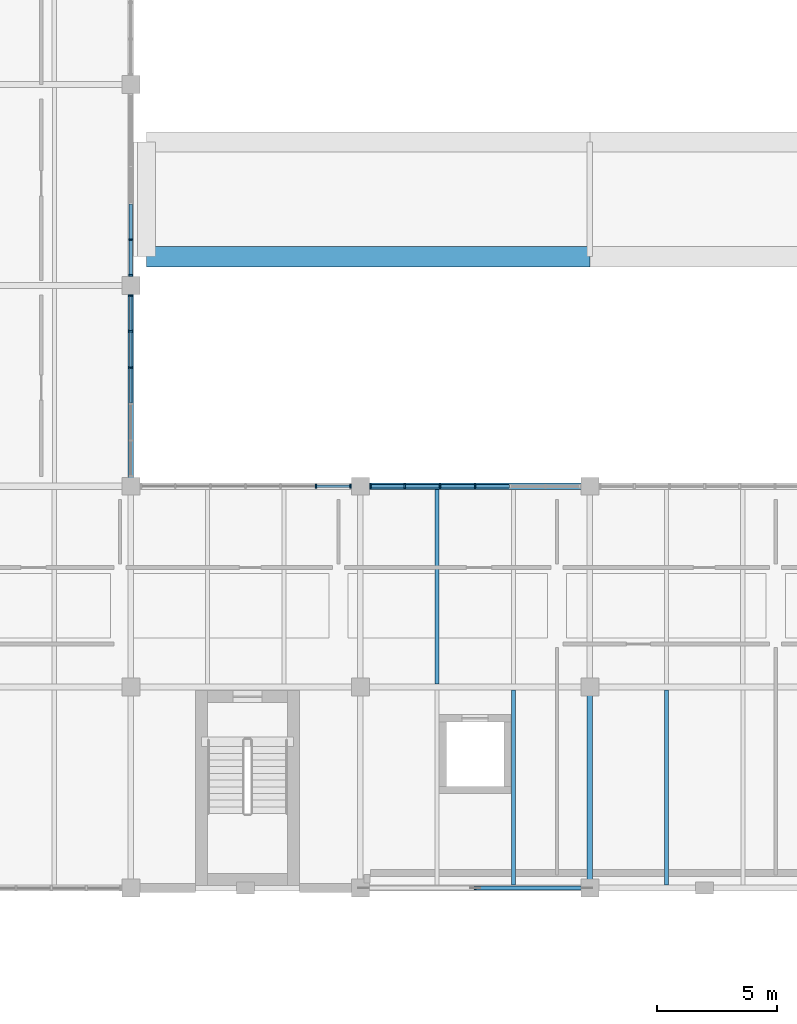
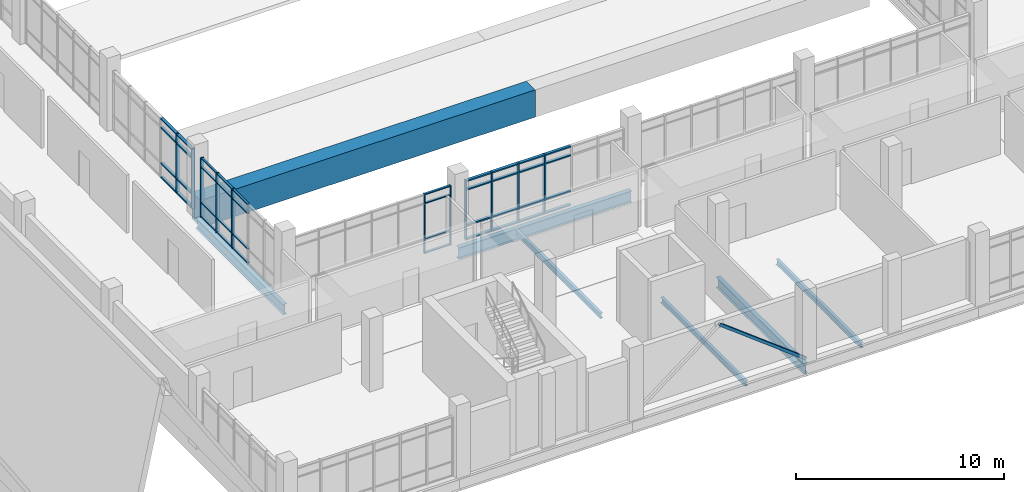
# One storey, part 18 of 86: 52 members, 7 beams, 4 elements without a shape of their own.
"""IFC4 building model written with IfcOpenShell, lengths in metres."""

import ifcopenshell
import ifcopenshell.guid

model = None  # the IFC model being written
_history = None  # IfcOwnerHistory: only IFC2X3 demands one
_inside = {}  # id of a spatial element -> (the spatial element, [elements in it])
_under = {}  # id of a project, library or spatial element -> (it, [spatial elements below it])
_declared = {}  # id of a project -> (the project, [libraries it declares])
_typed = {}  # id of a type object -> (the type object, [elements of that type])
_made_of = {}  # id of a material, layer set ... -> (it, [elements and type objects made of it])


def new_model(schema):
    """Start an empty IFC model of exactly this schema.

    Asked for "IFC4X3", IfcOpenShell would pick the latest addendum, in which some entities
    have other attributes; the version numbers below select the first issue.
    IFC2X3 requires an IfcOwnerHistory on every rooted entity: one is made here for all.
    """
    global model, _history
    if schema == "IFC4X3":
        model = ifcopenshell.file(schema_version=(4, 3, 0, 0))
    else:
        model = ifcopenshell.file(schema=schema)
    _inside.clear()
    _under.clear()
    _declared.clear()
    _typed.clear()
    _made_of.clear()
    _history = None
    if model.schema == "IFC2X3":
        org = make("IfcOrganization", Name="unknown")
        user = make(
            "IfcPersonAndOrganization",
            ThePerson=make("IfcPerson", FamilyName="unknown"),
            TheOrganization=org,
        )
        app = make(
            "IfcApplication",
            ApplicationDeveloper=org,
            Version="unknown",
            ApplicationFullName="unknown",
            ApplicationIdentifier="unknown",
        )
        _history = make(
            "IfcOwnerHistory",
            OwningUser=user,
            OwningApplication=app,
            ChangeAction="ADDED",
            CreationDate=0,
        )
    return model


def make(cls, **values):
    """One entity of the class cls with the attributes given. An attribute that is None is left unset."""
    return model.create_entity(
        cls, **{name: value for name, value in values.items() if value is not None}
    )


def rooted(cls, **values):
    """An entity with a GlobalId (a new one), such as an element, a storey or a relation."""
    return make(cls, GlobalId=ifcopenshell.guid.new(), OwnerHistory=_history, **values)


def si_unit(unit_type, name, prefix=None):
    """IfcSIUnit, for example si_unit("LENGTHUNIT", "METRE", prefix="MILLI")."""
    return make("IfcSIUnit", UnitType=unit_type, Prefix=prefix, Name=name)


def assignment(units):
    """IfcUnitAssignment: the units of a project."""
    return None if units is None else make("IfcUnitAssignment", Units=units)


def point(xyz):
    """IfcCartesianPoint."""
    return None if xyz is None else make("IfcCartesianPoint", Coordinates=xyz)


def direction(xyz):
    """IfcDirection."""
    return None if xyz is None else make("IfcDirection", DirectionRatios=xyz)


def frame(location, z_axis=None, x_axis=None):
    """IfcAxis2Placement3D, a coordinate frame: its origin and axes. An axis left out is left unset."""
    return make(
        "IfcAxis2Placement3D",
        Location=point(location),
        Axis=direction(z_axis),
        RefDirection=direction(x_axis),
    )


def frame_2d(location, x_axis=None):
    """IfcAxis2Placement2D, a coordinate frame in the plane: its origin and x axis."""
    return make(
        "IfcAxis2Placement2D", Location=point(location), RefDirection=direction(x_axis)
    )


def origin():
    """The frame at (0, 0, 0) with its axes left unset."""
    return frame((0.0, 0.0, 0.0))


def origin_2d():
    """The frame at (0, 0) in the plane with its x axis left unset."""
    return frame_2d((0.0, 0.0))


def place(relative_to, where):
    """IfcLocalPlacement: puts the frame where relative to a parent placement (None: the world)."""
    return make(
        "IfcLocalPlacement", PlacementRelTo=relative_to, RelativePlacement=where
    )


def context(
    kind, dimensions, precision=None, world=None, true_north=None, identifier=None
):
    """IfcGeometricRepresentationContext, for example the 3D "Model" context."""
    return make(
        "IfcGeometricRepresentationContext",
        ContextIdentifier=identifier,
        ContextType=kind,
        CoordinateSpaceDimension=dimensions,
        Precision=precision,
        WorldCoordinateSystem=world,
        TrueNorth=true_north,
    )


def subcontext(parent, identifier, kind, view, scale=None):
    """IfcGeometricRepresentationSubContext, for example "Body" below "Model"."""
    return make(
        "IfcGeometricRepresentationSubContext",
        ContextIdentifier=identifier,
        ContextType=kind,
        ParentContext=parent,
        TargetScale=scale,
        TargetView=view,
    )


def project(units=None, contexts=None):
    """IfcProject with its units and contexts."""
    return rooted(
        "IfcProject",
        Name="project",
        RepresentationContexts=contexts,
        UnitsInContext=assignment(units),
    )


def spatial(cls, under=None, at=None, **own):
    """A site, building, storey or space (cls), placed at a placement, below another one or the project."""
    s = rooted(cls, ObjectPlacement=at, **own)
    if under is not None:
        _under.setdefault(under.id(), (under, []))[1].append(s)
    return s


def profile(cls, at=None, kind="AREA", **sizes):
    """A parametric profile (cls). Its sizes go by their IFC names, for example OverallWidth=200.0."""
    return make(cls, ProfileType=kind, Position=at, **sizes)


def rectangle(**sizes):
    """IfcRectangleProfileDef."""
    return profile("IfcRectangleProfileDef", **sizes)


def hollow_rectangle(**sizes):
    """IfcRectangleHollowProfileDef."""
    return profile("IfcRectangleHollowProfileDef", **sizes)


def i_section(**sizes):
    """IfcIShapeProfileDef."""
    return profile("IfcIShapeProfileDef", **sizes)


def extrude(swept, where, along, depth):
    """IfcExtrudedAreaSolid: the profile swept, set in the frame where, extruded along a direction by depth."""
    return make(
        "IfcExtrudedAreaSolid",
        SweptArea=swept,
        Position=where,
        ExtrudedDirection=direction(along),
        Depth=depth,
    )


def shape(context_of_items, identifier, shape_type, items):
    """IfcShapeRepresentation: the items that make up one representation, for example the "Body"."""
    return make(
        "IfcShapeRepresentation",
        ContextOfItems=context_of_items,
        RepresentationIdentifier=identifier,
        RepresentationType=shape_type,
        Items=items,
    )


def material(Name=None, Category=None):
    """IfcMaterial."""
    return make("IfcMaterial", Name=Name, Category=Category)


def material_profile(
    of_material, cross_section, Name=None, Category=None, Priority=None
):
    """IfcMaterialProfile: a cross section and its material."""
    return make(
        "IfcMaterialProfile",
        Name=Name,
        Material=of_material,
        Profile=cross_section,
        Priority=Priority,
        Category=Category,
    )


def profile_set(profiles, Name=None, composite=None):
    """IfcMaterialProfileSet."""
    return make(
        "IfcMaterialProfileSet",
        Name=Name,
        MaterialProfiles=profiles,
        CompositeProfile=composite,
    )


def made_of(thing, what):
    """Note that an element or type object is made of a material, layer set ...; save() writes the relation."""
    if what is not None:
        _made_of.setdefault(what.id(), (what, []))[1].append(thing)
    return thing


def type_object(cls, material=None, **own):
    """A type object (cls), such as IfcWallType, which elements share."""
    return made_of(rooted(cls, **own), material)


def element(
    cls,
    number,
    at=None,
    inside=None,
    cuts=None,
    type_object=None,
    material=None,
    context=None,
    identifier="Body",
    shape_type=None,
    held_by="IfcProductDefinitionShape",
    body=None,
    shapes=None,
    **own,
):
    """One element of the class cls, such as IfcWall. Its Tag is "e" and its number.

    at: its placement. inside: the storey or other place that contains it. cuts: it is an
    opening in that element (IfcRelVoidsElement). A single representation is given by context,
    identifier, shape_type and body (its items); several are given by shapes. held_by: the class
    of the entity that holds the representations. save() writes the other relations.
    """
    e = rooted(cls, Tag="e%d" % number, ObjectPlacement=at, **own)
    if body is not None:
        shapes = [shape(context, identifier, shape_type, body)]
    if shapes is not None:
        e.Representation = make(held_by, Representations=shapes)
    if inside is not None:
        _inside.setdefault(inside.id(), (inside, []))[1].append(e)
    if cuts is not None:
        rooted(
            "IfcRelVoidsElement", RelatingBuildingElement=cuts, RelatedOpeningElement=e
        )
    if type_object is not None:
        _typed.setdefault(type_object.id(), (type_object, []))[1].append(e)
    return made_of(e, material)


def aggregate(whole, parts):
    """IfcRelAggregates: a whole, such as a stair, and the parts it consists of."""
    return rooted("IfcRelAggregates", RelatingObject=whole, RelatedObjects=parts)


def save(model, path):
    """Write the relations noted so far, then the file.

    IfcRelAggregates (storeys below a building ...), IfcRelContainedInSpatialStructure (elements
    in a storey), IfcRelDefinesByType, IfcRelAssociatesMaterial and IfcRelDeclares: one each for
    every whole, place, type object, material and project.
    """
    for whole, parts in _under.values():
        aggregate(whole, parts)
    for where, things in _inside.values():
        rooted(
            "IfcRelContainedInSpatialStructure",
            RelatedElements=things,
            RelatingStructure=where,
        )
    for kind, things in _typed.values():
        rooted("IfcRelDefinesByType", RelatedObjects=things, RelatingType=kind)
    for what, things in _made_of.values():
        rooted("IfcRelAssociatesMaterial", RelatedObjects=things, RelatingMaterial=what)
    for by, libraries in _declared.values():
        rooted("IfcRelDeclares", RelatingContext=by, RelatedDefinitions=libraries)
    model.write(path)


model = new_model("IFC4")

# Units and contexts
model_context = context("Model", 3, precision=1e-05, world=origin(), true_north=direction((0.0, 1.0)))
body_context = subcontext(model_context, "Body", "Model", "MODEL_VIEW")
ifc_project = project(units=[si_unit("LENGTHUNIT", "METRE"), si_unit("AREAUNIT", "SQUARE_METRE"), si_unit("VOLUMEUNIT", "CUBIC_METRE"), si_unit("PLANEANGLEUNIT", "RADIAN"), si_unit("MASSUNIT", "GRAM", prefix="KILO")], contexts=[model_context])

# Site, building, storey
site_placement = place(None, origin())
site = spatial("IfcSite", under=ifc_project, at=site_placement, CompositionType="ELEMENT")
building_placement = place(site_placement, origin())
building = spatial("IfcBuilding", under=site, at=building_placement, Name="Oolite Switchyard Hospital", CompositionType="ELEMENT")
storey_placement = place(building_placement, frame((0.0, 0.0, 13.5)))
storey = spatial("IfcBuildingStorey", under=building, at=storey_placement, Name="L03", CompositionType="ELEMENT", Elevation=13.5)

# Beams
ifc_material_1 = material(Name="Concrete C40/50", Category="concrete")
ifc_material_profile_1 = material_profile(ifc_material_1, rectangle(XDim=0.85009765625, YDim=1.60009765625, at=origin_2d()), Name="RCT850X1600")
ifc_profile_set_1 = profile_set([ifc_material_profile_1], Name="Concrete C40/50")
beam_type_1 = type_object("IfcBeamType", Name="BM-TR850X1600", PredefinedType="BEAM", material=ifc_profile_set_1)
beam_1_placement = place(storey_placement, frame((144.64990234375, 34.800048828125, -0.800048828125), z_axis=(1.0, 0.0, 0.0), x_axis=(0.0, 1.0, 0.0)))
element("IfcBeam", 1, at=beam_1_placement, inside=storey, type_object=beam_type_1, Name="L03 X-Girder 1959", PredefinedType="BEAM", context=body_context, shape_type="SweptSolid", body=[
    extrude(rectangle(XDim=0.85009765625, YDim=1.60009765625, at=origin_2d()), origin(), (0.0, 0.0, 1.0), 18.550048828125),
])
ifc_material_2 = material(Name="Steel ASTM A992 Grade 50", Category="steel")
ifc_material_profile_2 = material_profile(ifc_material_2, i_section(OverallWidth=0.1650390625, OverallDepth=0.31005859375, WebThickness=0.006103515625, FlangeThickness=0.010009765625, at=origin_2d()), Name="W12X26")
ifc_profile_set_2 = profile_set([ifc_material_profile_2], Name="Steel ASTM A992 Grade 50")
beam_type_2 = type_object("IfcBeamType", Name="BM-W12X26", PredefinedType="JOIST", material=ifc_profile_set_2)
for number, where, z_axis, x_axis, name in (
    (2, (160.0, 8.527099609375, -0.429931640625), (0.0, 1.0, 0.0), (-1.0, 0.0, 0.0), "L03 Secondary Steel Joist 2639"),
    (3, (156.800048828125, 16.927001953125, -0.429931640625), (0.0, 1.0, 0.0), (-1.0, 0.0, 0.0), "L03 Secondary Steel Joist 2640"),
    (4, (166.39990234375, 8.527099609375, -0.429931640625), (0.0, 1.0, 0.0), (-1.0, 0.0, 0.0), "L03 Secondary Steel Joist 2658"),
):
    element("IfcBeam", number, at=place(storey_placement, frame(where, z_axis=z_axis, x_axis=x_axis)), inside=storey, type_object=beam_type_2, Name=name, PredefinedType="JOIST", context=body_context, shape_type="SweptSolid", body=[
        extrude(i_section(OverallWidth=0.1650390625, OverallDepth=0.31005859375, WebThickness=0.006103515625, FlangeThickness=0.010009765625, at=origin_2d()), origin(), (0.0, 0.0, 1.0), 8.14599609375),
    ])
ifc_material_profile_3 = material_profile(ifc_material_2, i_section(OverallWidth=0.22900390625, OverallDepth=0.612060546875, WebThickness=0.011962890625, FlangeThickness=0.02001953125, at=origin_2d()), Name="W24X84")
ifc_profile_set_3 = profile_set([ifc_material_profile_3], Name="Steel ASTM A992 Grade 50")
beam_type_3 = type_object("IfcBeamType", Name="BM-W24X84", PredefinedType="BEAM", material=ifc_profile_set_3)
for number, where, z_axis, x_axis, name in (
    (5, (144.0, 25.199951171875, -0.5810546875), (0.0, 1.0, 0.0), (-1.0, 0.0, 0.0), "L03 Y-Girder 2297"),
    (6, (163.199951171875, 8.39990234375, -0.5810546875), (0.0, 1.0, 0.0), (-1.0, 0.0, 0.0), "L03 Y-Girder 2323"),
):
    element("IfcBeam", number, at=place(storey_placement, frame(where, z_axis=z_axis, x_axis=x_axis)), inside=storey, type_object=beam_type_3, Name=name, PredefinedType="BEAM", context=body_context, shape_type="SweptSolid", body=[
        extrude(i_section(OverallWidth=0.22900390625, OverallDepth=0.612060546875, WebThickness=0.011962890625, FlangeThickness=0.02001953125, at=origin_2d()), origin(), (0.0, 0.0, 1.0), 8.400146484375),
    ])
ifc_material_profile_4 = material_profile(ifc_material_2, i_section(OverallWidth=0.25390625, OverallDepth=0.68408203125, WebThickness=0.011962890625, FlangeThickness=0.01904296875, at=origin_2d()), Name="W27X94")
ifc_profile_set_4 = profile_set([ifc_material_profile_4], Name="Steel ASTM A992 Grade 50")
beam_type_4 = type_object("IfcBeamType", Name="BM-W27X94", PredefinedType="BEAM", material=ifc_profile_set_4)
beam_2_placement = place(storey_placement, frame((153.60009765625, 25.199951171875, -0.616943359375), z_axis=(1.0, 0.0, 0.0), x_axis=(0.0, 1.0, 0.0)))
element("IfcBeam", 7, at=beam_2_placement, inside=storey, type_object=beam_type_4, Name="L03 X-Girder 1943", PredefinedType="BEAM", context=body_context, shape_type="SweptSolid", body=[
    extrude(i_section(OverallWidth=0.25390625, OverallDepth=0.68408203125, WebThickness=0.011962890625, FlangeThickness=0.01904296875, at=origin_2d()), origin(), (0.0, 0.0, 1.0), 9.599853515625),
])

# Curtain wall, members
ifc_material_3 = material(Name="Thermally broken aluminum frame with laminated impact glazing", Category="aluminium")
curtain_wall_type_1 = type_object("IfcCurtainWallType", Name="CW-UNIT-96X43", PredefinedType="USERDEFINED", material=ifc_material_3)
curtain_wall_1_placement = place(storey_placement, origin())
curtain_wall_1 = element("IfcCurtainWall", 8, at=curtain_wall_1_placement, inside=storey, type_object=curtain_wall_type_1, Name="L03 Unitised Curtain Wall 330", ObjectType="UNITISED", PredefinedType="USERDEFINED")
ifc_material_4 = material(Name="Aluminium 6063-T6", Category="aluminium")
ifc_material_profile_5 = material_profile(ifc_material_4, rectangle(XDim=0.159912109375, YDim=0.06005859375, at=origin_2d()), Name="CWM60X160")
ifc_profile_set_5 = profile_set([ifc_material_profile_5], Name="Aluminium 6063-T6")
member_type_1 = type_object("IfcMemberType", Name="CW-MUL-180", PredefinedType="MULLION", material=ifc_profile_set_5)
member_1_placement = place(storey_placement, frame((151.739990234375, 25.199951171875, 0.0), z_axis=(0.0, 0.0, 1.0), x_axis=(0.0, 1.0, 0.0)))
member_1 = element("IfcMember", 9, at=member_1_placement, type_object=member_type_1, Name="CW-04 mullion 6", PredefinedType="MULLION", context=body_context, shape_type="SweptSolid", body=[
    extrude(rectangle(XDim=0.159912109375, YDim=0.06005859375, at=origin_2d()), origin(), (0.0, 0.0, 1.0), 3.489990234375),
])
member_2_placement = place(storey_placement, frame((153.179931640625, 25.199951171875, 0.0), z_axis=(0.0, 0.0, 1.0), x_axis=(0.0, 1.0, 0.0)))
member_2 = element("IfcMember", 10, at=member_2_placement, type_object=member_type_1, Name="CW-04 mullion 7", PredefinedType="MULLION", context=body_context, shape_type="SweptSolid", body=[
    extrude(rectangle(XDim=0.159912109375, YDim=0.06005859375, at=origin_2d()), origin(), (0.0, 0.0, 1.0), 3.489990234375),
])

curtain_wall_2_placement = place(storey_placement, origin())
curtain_wall_2 = element("IfcCurtainWall", 11, at=curtain_wall_2_placement, inside=storey, type_object=curtain_wall_type_1, Name="L03 Unitised Curtain Wall 331", ObjectType="UNITISED", PredefinedType="USERDEFINED")
ifc_material_profile_6 = material_profile(ifc_material_4, rectangle(XDim=0.179931640625, YDim=0.070068359375, at=origin_2d()), Name="CWM70X180")
ifc_profile_set_6 = profile_set([ifc_material_profile_6], Name="Aluminium 6063-T6")
member_type_2 = type_object("IfcMemberType", Name="CW-MUL-220", PredefinedType="MULLION", material=ifc_profile_set_6)
member_3_placement = place(storey_placement, frame((154.02490234375, 25.199951171875, 0.0), z_axis=(0.0, 0.0, 1.0), x_axis=(0.0, 1.0, 0.0)))
member_3 = element("IfcMember", 12, at=member_3_placement, type_object=member_type_2, Name="CW-04 mullion 1", PredefinedType="MULLION", context=body_context, shape_type="SweptSolid", body=[
    extrude(rectangle(XDim=0.179931640625, YDim=0.070068359375, at=origin_2d()), origin(), (0.0, 0.0, 1.0), 3.489990234375),
])
member_4_placement = place(storey_placement, frame((155.4599609375, 25.199951171875, 0.0), z_axis=(0.0, 0.0, 1.0), x_axis=(0.0, 1.0, 0.0)))
member_4 = element("IfcMember", 13, at=member_4_placement, type_object=member_type_2, Name="CW-04 mullion 2", PredefinedType="MULLION", context=body_context, shape_type="SweptSolid", body=[
    extrude(rectangle(XDim=0.179931640625, YDim=0.070068359375, at=origin_2d()), origin(), (0.0, 0.0, 1.0), 3.489990234375),
])
member_5_placement = place(storey_placement, frame((156.929931640625, 25.199951171875, 0.0), z_axis=(0.0, 0.0, 1.0), x_axis=(0.0, 1.0, 0.0)))
member_5 = element("IfcMember", 14, at=member_5_placement, type_object=member_type_2, Name="CW-04 mullion 3", PredefinedType="MULLION", context=body_context, shape_type="SweptSolid", body=[
    extrude(rectangle(XDim=0.179931640625, YDim=0.070068359375, at=origin_2d()), origin(), (0.0, 0.0, 1.0), 3.489990234375),
])
member_6_placement = place(storey_placement, frame((158.39990234375, 25.199951171875, 0.0), z_axis=(0.0, 0.0, 1.0), x_axis=(0.0, 1.0, 0.0)))
member_6 = element("IfcMember", 15, at=member_6_placement, type_object=member_type_2, Name="CW-04 mullion 4", PredefinedType="MULLION", context=body_context, shape_type="SweptSolid", body=[
    extrude(rectangle(XDim=0.179931640625, YDim=0.070068359375, at=origin_2d()), origin(), (0.0, 0.0, 1.0), 3.489990234375),
])

curtain_wall_type_2 = type_object("IfcCurtainWallType", Name="CW-UNIT-84X43", PredefinedType="USERDEFINED", material=ifc_material_3)
curtain_wall_3_placement = place(storey_placement, origin())
curtain_wall_3 = element("IfcCurtainWall", 16, at=curtain_wall_3_placement, inside=storey, type_object=curtain_wall_type_2, Name="L03 Unitised Curtain Wall 340", ObjectType="UNITISED", PredefinedType="USERDEFINED")
member_7_placement = place(storey_placement, frame((144.0, 33.175048828125, 0.0), z_axis=(0.0, 0.0, 1.0), x_axis=(1.0, 0.0, 0.0)))
member_7 = element("IfcMember", 17, at=member_7_placement, type_object=member_type_2, Name="CW-09 mullion 1", PredefinedType="MULLION", context=body_context, shape_type="SweptSolid", body=[
    extrude(rectangle(XDim=0.179931640625, YDim=0.070068359375, at=origin_2d()), origin(), (0.0, 0.0, 1.0), 3.489990234375),
])
member_8_placement = place(storey_placement, frame((144.0, 31.68603515625, 0.0), z_axis=(0.0, 0.0, 1.0), x_axis=(1.0, 0.0, 0.0)))
member_8 = element("IfcMember", 18, at=member_8_placement, type_object=member_type_2, Name="CW-09 mullion 2", PredefinedType="MULLION", context=body_context, shape_type="SweptSolid", body=[
    extrude(rectangle(XDim=0.179931640625, YDim=0.070068359375, at=origin_2d()), origin(), (0.0, 0.0, 1.0), 3.489990234375),
])
member_9_placement = place(storey_placement, frame((144.0, 30.162109375, 0.0), z_axis=(0.0, 0.0, 1.0), x_axis=(1.0, 0.0, 0.0)))
member_9 = element("IfcMember", 19, at=member_9_placement, type_object=member_type_2, Name="CW-09 mullion 3", PredefinedType="MULLION", context=body_context, shape_type="SweptSolid", body=[
    extrude(rectangle(XDim=0.179931640625, YDim=0.070068359375, at=origin_2d()), origin(), (0.0, 0.0, 1.0), 3.489990234375),
])

curtain_wall_4_placement = place(storey_placement, origin())
curtain_wall_4 = element("IfcCurtainWall", 20, at=curtain_wall_4_placement, inside=storey, type_object=curtain_wall_type_2, Name="L03 Unitised Curtain Wall 343", ObjectType="UNITISED", PredefinedType="USERDEFINED")
member_10_placement = place(storey_placement, frame((144.0, 35.513916015625, 0.0), z_axis=(0.0, 0.0, 1.0), x_axis=(1.0, 0.0, 0.0)))
member_10 = element("IfcMember", 21, at=member_10_placement, type_object=member_type_2, Name="CW-09 mullion 5", PredefinedType="MULLION", context=body_context, shape_type="SweptSolid", body=[
    extrude(rectangle(XDim=0.179931640625, YDim=0.070068359375, at=origin_2d()), origin(), (0.0, 0.0, 1.0), 3.489990234375),
])
member_11_placement = place(storey_placement, frame((144.0, 34.02490234375, 0.0), z_axis=(0.0, 0.0, 1.0), x_axis=(1.0, 0.0, 0.0)))
member_11 = element("IfcMember", 22, at=member_11_placement, type_object=member_type_2, Name="CW-09 mullion 6", PredefinedType="MULLION", context=body_context, shape_type="SweptSolid", body=[
    extrude(rectangle(XDim=0.179931640625, YDim=0.070068359375, at=origin_2d()), origin(), (0.0, 0.0, 1.0), 3.489990234375),
])

# Member
ifc_material_profile_7 = material_profile(ifc_material_4, rectangle(XDim=0.1201171875, YDim=0.06005859375, at=origin_2d()), Name="CWT60X120")
ifc_profile_set_7 = profile_set([ifc_material_profile_7], Name="Aluminium 6063-T6")
member_type_3 = type_object("IfcMemberType", Name="CW-TRN-150", PredefinedType="USERDEFINED", material=ifc_profile_set_7)
member_12_placement = place(storey_placement, frame((151.77001953125, 25.199951171875, 0.030029296875), z_axis=(1.0, 0.0, 0.0), x_axis=(0.0, 1.0, 0.0)))
member_12 = element("IfcMember", 23, at=member_12_placement, type_object=member_type_3, Name="CW-04 transom 6.1", ObjectType="TRANSOM", PredefinedType="USERDEFINED", context=body_context, shape_type="SweptSolid", body=[
    extrude(rectangle(XDim=0.1201171875, YDim=0.06005859375, at=origin_2d()), origin(), (0.0, 0.0, 1.0), 1.3798828125),
])

member_13_placement = place(storey_placement, frame((151.77001953125, 25.199951171875, 0.85009765625), z_axis=(1.0, 0.0, 0.0), x_axis=(0.0, 1.0, 0.0)))
member_13 = element("IfcMember", 24, at=member_13_placement, type_object=member_type_3, Name="CW-04 transom 6.2", ObjectType="TRANSOM", PredefinedType="USERDEFINED", context=body_context, shape_type="SweptSolid", body=[
    extrude(rectangle(XDim=0.1201171875, YDim=0.06005859375, at=origin_2d()), origin(), (0.0, 0.0, 1.0), 1.3798828125),
])

member_14_placement = place(storey_placement, frame((151.77001953125, 25.199951171875, 2.93994140625), z_axis=(1.0, 0.0, 0.0), x_axis=(0.0, 1.0, 0.0)))
member_14 = element("IfcMember", 25, at=member_14_placement, type_object=member_type_3, Name="CW-04 transom 6.3", ObjectType="TRANSOM", PredefinedType="USERDEFINED", context=body_context, shape_type="SweptSolid", body=[
    extrude(rectangle(XDim=0.1201171875, YDim=0.06005859375, at=origin_2d()), origin(), (0.0, 0.0, 1.0), 1.3798828125),
])

member_15_placement = place(storey_placement, frame((151.77001953125, 25.199951171875, 3.4599609375), z_axis=(1.0, 0.0, 0.0), x_axis=(0.0, 1.0, 0.0)))
member_15 = element("IfcMember", 26, at=member_15_placement, type_object=member_type_3, Name="CW-04 transom 6.4", ObjectType="TRANSOM", PredefinedType="USERDEFINED", context=body_context, shape_type="SweptSolid", body=[
    extrude(rectangle(XDim=0.1201171875, YDim=0.06005859375, at=origin_2d()), origin(), (0.0, 0.0, 1.0), 1.3798828125),
])

aggregate(curtain_wall_1, [member_1, member_2, member_12, member_13, member_14, member_15])

member_16_placement = place(storey_placement, frame((144.0, 33.139892578125, 0.030029296875), z_axis=(0.0, -1.0, 0.0), x_axis=(1.0, 0.0, 0.0)))
member_16 = element("IfcMember", 27, at=member_16_placement, type_object=member_type_3, Name="CW-09 transom 1.1", ObjectType="TRANSOM", PredefinedType="USERDEFINED", context=body_context, shape_type="SweptSolid", body=[
    extrude(rectangle(XDim=0.1201171875, YDim=0.06005859375, at=origin_2d()), origin(), (0.0, 0.0, 1.0), 1.4189453125),
])

member_17_placement = place(storey_placement, frame((144.0, 33.139892578125, 0.85009765625), z_axis=(0.0, -1.0, 0.0), x_axis=(1.0, 0.0, 0.0)))
member_17 = element("IfcMember", 28, at=member_17_placement, type_object=member_type_3, Name="CW-09 transom 1.2", ObjectType="TRANSOM", PredefinedType="USERDEFINED", context=body_context, shape_type="SweptSolid", body=[
    extrude(rectangle(XDim=0.1201171875, YDim=0.06005859375, at=origin_2d()), origin(), (0.0, 0.0, 1.0), 1.4189453125),
])

member_18_placement = place(storey_placement, frame((144.0, 33.139892578125, 2.93994140625), z_axis=(0.0, -1.0, 0.0), x_axis=(1.0, 0.0, 0.0)))
member_18 = element("IfcMember", 29, at=member_18_placement, type_object=member_type_3, Name="CW-09 transom 1.3", ObjectType="TRANSOM", PredefinedType="USERDEFINED", context=body_context, shape_type="SweptSolid", body=[
    extrude(rectangle(XDim=0.1201171875, YDim=0.06005859375, at=origin_2d()), origin(), (0.0, 0.0, 1.0), 1.4189453125),
])

member_19_placement = place(storey_placement, frame((144.0, 33.139892578125, 3.4599609375), z_axis=(0.0, -1.0, 0.0), x_axis=(1.0, 0.0, 0.0)))
member_19 = element("IfcMember", 30, at=member_19_placement, type_object=member_type_3, Name="CW-09 transom 1.4", ObjectType="TRANSOM", PredefinedType="USERDEFINED", context=body_context, shape_type="SweptSolid", body=[
    extrude(rectangle(XDim=0.1201171875, YDim=0.06005859375, at=origin_2d()), origin(), (0.0, 0.0, 1.0), 1.4189453125),
])

member_20_placement = place(storey_placement, frame((144.0, 31.65087890625, 0.030029296875), z_axis=(0.0, -1.0, 0.0), x_axis=(1.0, 0.0, 0.0)))
member_20 = element("IfcMember", 31, at=member_20_placement, type_object=member_type_3, Name="CW-09 transom 2.1", ObjectType="TRANSOM", PredefinedType="USERDEFINED", context=body_context, shape_type="SweptSolid", body=[
    extrude(rectangle(XDim=0.1201171875, YDim=0.06005859375, at=origin_2d()), origin(), (0.0, 0.0, 1.0), 1.453857421875),
])

member_21_placement = place(storey_placement, frame((144.0, 31.65087890625, 0.85009765625), z_axis=(0.0, -1.0, 0.0), x_axis=(1.0, 0.0, 0.0)))
member_21 = element("IfcMember", 32, at=member_21_placement, type_object=member_type_3, Name="CW-09 transom 2.2", ObjectType="TRANSOM", PredefinedType="USERDEFINED", context=body_context, shape_type="SweptSolid", body=[
    extrude(rectangle(XDim=0.1201171875, YDim=0.06005859375, at=origin_2d()), origin(), (0.0, 0.0, 1.0), 1.453857421875),
])

member_22_placement = place(storey_placement, frame((144.0, 31.65087890625, 2.93994140625), z_axis=(0.0, -1.0, 0.0), x_axis=(1.0, 0.0, 0.0)))
member_22 = element("IfcMember", 33, at=member_22_placement, type_object=member_type_3, Name="CW-09 transom 2.3", ObjectType="TRANSOM", PredefinedType="USERDEFINED", context=body_context, shape_type="SweptSolid", body=[
    extrude(rectangle(XDim=0.1201171875, YDim=0.06005859375, at=origin_2d()), origin(), (0.0, 0.0, 1.0), 1.453857421875),
])

member_23_placement = place(storey_placement, frame((144.0, 31.65087890625, 3.4599609375), z_axis=(0.0, -1.0, 0.0), x_axis=(1.0, 0.0, 0.0)))
member_23 = element("IfcMember", 34, at=member_23_placement, type_object=member_type_3, Name="CW-09 transom 2.4", ObjectType="TRANSOM", PredefinedType="USERDEFINED", context=body_context, shape_type="SweptSolid", body=[
    extrude(rectangle(XDim=0.1201171875, YDim=0.06005859375, at=origin_2d()), origin(), (0.0, 0.0, 1.0), 1.453857421875),
])

member_24_placement = place(storey_placement, frame((144.0, 30.126953125, 0.030029296875), z_axis=(0.0, -1.0, 0.0), x_axis=(1.0, 0.0, 0.0)))
member_24 = element("IfcMember", 35, at=member_24_placement, type_object=member_type_3, Name="CW-09 transom 3.1", ObjectType="TRANSOM", PredefinedType="USERDEFINED", context=body_context, shape_type="SweptSolid", body=[
    extrude(rectangle(XDim=0.1201171875, YDim=0.06005859375, at=origin_2d()), origin(), (0.0, 0.0, 1.0), 1.453857421875),
])

member_25_placement = place(storey_placement, frame((144.0, 30.126953125, 0.85009765625), z_axis=(0.0, -1.0, 0.0), x_axis=(1.0, 0.0, 0.0)))
member_25 = element("IfcMember", 36, at=member_25_placement, type_object=member_type_3, Name="CW-09 transom 3.2", ObjectType="TRANSOM", PredefinedType="USERDEFINED", context=body_context, shape_type="SweptSolid", body=[
    extrude(rectangle(XDim=0.1201171875, YDim=0.06005859375, at=origin_2d()), origin(), (0.0, 0.0, 1.0), 1.453857421875),
])

member_26_placement = place(storey_placement, frame((144.0, 30.126953125, 2.93994140625), z_axis=(0.0, -1.0, 0.0), x_axis=(1.0, 0.0, 0.0)))
member_26 = element("IfcMember", 37, at=member_26_placement, type_object=member_type_3, Name="CW-09 transom 3.3", ObjectType="TRANSOM", PredefinedType="USERDEFINED", context=body_context, shape_type="SweptSolid", body=[
    extrude(rectangle(XDim=0.1201171875, YDim=0.06005859375, at=origin_2d()), origin(), (0.0, 0.0, 1.0), 1.453857421875),
])

member_27_placement = place(storey_placement, frame((144.0, 30.126953125, 3.4599609375), z_axis=(0.0, -1.0, 0.0), x_axis=(1.0, 0.0, 0.0)))
member_27 = element("IfcMember", 38, at=member_27_placement, type_object=member_type_3, Name="CW-09 transom 3.4", ObjectType="TRANSOM", PredefinedType="USERDEFINED", context=body_context, shape_type="SweptSolid", body=[
    extrude(rectangle(XDim=0.1201171875, YDim=0.06005859375, at=origin_2d()), origin(), (0.0, 0.0, 1.0), 1.453857421875),
])

aggregate(curtain_wall_3, [member_7, member_8, member_9, member_16, member_17, member_18, member_19, member_20, member_21, member_22, member_23, member_24, member_25, member_26, member_27])

ifc_material_profile_8 = material_profile(ifc_material_4, rectangle(XDim=0.159912109375, YDim=0.074951171875, at=origin_2d()), Name="CWT75X160")
ifc_profile_set_8 = profile_set([ifc_material_profile_8], Name="Aluminium 6063-T6")
member_type_4 = type_object("IfcMemberType", Name="CW-TRN-180", PredefinedType="USERDEFINED", material=ifc_profile_set_8)
member_28_placement = place(storey_placement, frame((154.06005859375, 25.199951171875, 0.03759765625), z_axis=(1.0, 0.0, 0.0), x_axis=(0.0, 1.0, 0.0)))
member_28 = element("IfcMember", 39, at=member_28_placement, type_object=member_type_4, Name="CW-04 transom 1.1", ObjectType="TRANSOM", PredefinedType="USERDEFINED", context=body_context, shape_type="SweptSolid", body=[
    extrude(rectangle(XDim=0.159912109375, YDim=0.074951171875, at=origin_2d()), origin(), (0.0, 0.0, 1.0), 1.364990234375),
])

member_29_placement = place(storey_placement, frame((154.06005859375, 25.199951171875, 0.85009765625), z_axis=(1.0, 0.0, 0.0), x_axis=(0.0, 1.0, 0.0)))
member_29 = element("IfcMember", 40, at=member_29_placement, type_object=member_type_4, Name="CW-04 transom 1.2", ObjectType="TRANSOM", PredefinedType="USERDEFINED", context=body_context, shape_type="SweptSolid", body=[
    extrude(rectangle(XDim=0.159912109375, YDim=0.074951171875, at=origin_2d()), origin(), (0.0, 0.0, 1.0), 1.364990234375),
])

member_30_placement = place(storey_placement, frame((154.06005859375, 25.199951171875, 2.93994140625), z_axis=(1.0, 0.0, 0.0), x_axis=(0.0, 1.0, 0.0)))
member_30 = element("IfcMember", 41, at=member_30_placement, type_object=member_type_4, Name="CW-04 transom 1.3", ObjectType="TRANSOM", PredefinedType="USERDEFINED", context=body_context, shape_type="SweptSolid", body=[
    extrude(rectangle(XDim=0.159912109375, YDim=0.074951171875, at=origin_2d()), origin(), (0.0, 0.0, 1.0), 1.364990234375),
])

member_31_placement = place(storey_placement, frame((154.06005859375, 25.199951171875, 3.452392578125), z_axis=(1.0, 0.0, 0.0), x_axis=(0.0, 1.0, 0.0)))
member_31 = element("IfcMember", 42, at=member_31_placement, type_object=member_type_4, Name="CW-04 transom 1.4", ObjectType="TRANSOM", PredefinedType="USERDEFINED", context=body_context, shape_type="SweptSolid", body=[
    extrude(rectangle(XDim=0.159912109375, YDim=0.074951171875, at=origin_2d()), origin(), (0.0, 0.0, 1.0), 1.364990234375),
])

member_32_placement = place(storey_placement, frame((155.4951171875, 25.199951171875, 0.03759765625), z_axis=(1.0, 0.0, 0.0), x_axis=(0.0, 1.0, 0.0)))
member_32 = element("IfcMember", 43, at=member_32_placement, type_object=member_type_4, Name="CW-04 transom 2.1", ObjectType="TRANSOM", PredefinedType="USERDEFINED", context=body_context, shape_type="SweptSolid", body=[
    extrude(rectangle(XDim=0.159912109375, YDim=0.074951171875, at=origin_2d()), origin(), (0.0, 0.0, 1.0), 1.39990234375),
])

member_33_placement = place(storey_placement, frame((155.4951171875, 25.199951171875, 0.85009765625), z_axis=(1.0, 0.0, 0.0), x_axis=(0.0, 1.0, 0.0)))
member_33 = element("IfcMember", 44, at=member_33_placement, type_object=member_type_4, Name="CW-04 transom 2.2", ObjectType="TRANSOM", PredefinedType="USERDEFINED", context=body_context, shape_type="SweptSolid", body=[
    extrude(rectangle(XDim=0.159912109375, YDim=0.074951171875, at=origin_2d()), origin(), (0.0, 0.0, 1.0), 1.39990234375),
])

member_34_placement = place(storey_placement, frame((155.4951171875, 25.199951171875, 2.93994140625), z_axis=(1.0, 0.0, 0.0), x_axis=(0.0, 1.0, 0.0)))
member_34 = element("IfcMember", 45, at=member_34_placement, type_object=member_type_4, Name="CW-04 transom 2.3", ObjectType="TRANSOM", PredefinedType="USERDEFINED", context=body_context, shape_type="SweptSolid", body=[
    extrude(rectangle(XDim=0.159912109375, YDim=0.074951171875, at=origin_2d()), origin(), (0.0, 0.0, 1.0), 1.39990234375),
])

member_35_placement = place(storey_placement, frame((155.4951171875, 25.199951171875, 3.452392578125), z_axis=(1.0, 0.0, 0.0), x_axis=(0.0, 1.0, 0.0)))
member_35 = element("IfcMember", 46, at=member_35_placement, type_object=member_type_4, Name="CW-04 transom 2.4", ObjectType="TRANSOM", PredefinedType="USERDEFINED", context=body_context, shape_type="SweptSolid", body=[
    extrude(rectangle(XDim=0.159912109375, YDim=0.074951171875, at=origin_2d()), origin(), (0.0, 0.0, 1.0), 1.39990234375),
])

member_36_placement = place(storey_placement, frame((156.965087890625, 25.199951171875, 0.03759765625), z_axis=(1.0, 0.0, 0.0), x_axis=(0.0, 1.0, 0.0)))
member_36 = element("IfcMember", 47, at=member_36_placement, type_object=member_type_4, Name="CW-04 transom 3.1", ObjectType="TRANSOM", PredefinedType="USERDEFINED", context=body_context, shape_type="SweptSolid", body=[
    extrude(rectangle(XDim=0.159912109375, YDim=0.074951171875, at=origin_2d()), origin(), (0.0, 0.0, 1.0), 1.39990234375),
])

member_37_placement = place(storey_placement, frame((156.965087890625, 25.199951171875, 0.85009765625), z_axis=(1.0, 0.0, 0.0), x_axis=(0.0, 1.0, 0.0)))
member_37 = element("IfcMember", 48, at=member_37_placement, type_object=member_type_4, Name="CW-04 transom 3.2", ObjectType="TRANSOM", PredefinedType="USERDEFINED", context=body_context, shape_type="SweptSolid", body=[
    extrude(rectangle(XDim=0.159912109375, YDim=0.074951171875, at=origin_2d()), origin(), (0.0, 0.0, 1.0), 1.39990234375),
])

member_38_placement = place(storey_placement, frame((156.965087890625, 25.199951171875, 2.93994140625), z_axis=(1.0, 0.0, 0.0), x_axis=(0.0, 1.0, 0.0)))
member_38 = element("IfcMember", 49, at=member_38_placement, type_object=member_type_4, Name="CW-04 transom 3.3", ObjectType="TRANSOM", PredefinedType="USERDEFINED", context=body_context, shape_type="SweptSolid", body=[
    extrude(rectangle(XDim=0.159912109375, YDim=0.074951171875, at=origin_2d()), origin(), (0.0, 0.0, 1.0), 1.39990234375),
])

member_39_placement = place(storey_placement, frame((156.965087890625, 25.199951171875, 3.452392578125), z_axis=(1.0, 0.0, 0.0), x_axis=(0.0, 1.0, 0.0)))
member_39 = element("IfcMember", 50, at=member_39_placement, type_object=member_type_4, Name="CW-04 transom 3.4", ObjectType="TRANSOM", PredefinedType="USERDEFINED", context=body_context, shape_type="SweptSolid", body=[
    extrude(rectangle(XDim=0.159912109375, YDim=0.074951171875, at=origin_2d()), origin(), (0.0, 0.0, 1.0), 1.39990234375),
])

member_40_placement = place(storey_placement, frame((158.43505859375, 25.199951171875, 0.03759765625), z_axis=(1.0, 0.0, 0.0), x_axis=(0.0, 1.0, 0.0)))
member_40 = element("IfcMember", 51, at=member_40_placement, type_object=member_type_4, Name="CW-04 transom 4.1", ObjectType="TRANSOM", PredefinedType="USERDEFINED", context=body_context, shape_type="SweptSolid", body=[
    extrude(rectangle(XDim=0.159912109375, YDim=0.074951171875, at=origin_2d()), origin(), (0.0, 0.0, 1.0), 1.39990234375),
])

member_41_placement = place(storey_placement, frame((158.43505859375, 25.199951171875, 0.85009765625), z_axis=(1.0, 0.0, 0.0), x_axis=(0.0, 1.0, 0.0)))
member_41 = element("IfcMember", 52, at=member_41_placement, type_object=member_type_4, Name="CW-04 transom 4.2", ObjectType="TRANSOM", PredefinedType="USERDEFINED", context=body_context, shape_type="SweptSolid", body=[
    extrude(rectangle(XDim=0.159912109375, YDim=0.074951171875, at=origin_2d()), origin(), (0.0, 0.0, 1.0), 1.39990234375),
])

member_42_placement = place(storey_placement, frame((158.43505859375, 25.199951171875, 2.93994140625), z_axis=(1.0, 0.0, 0.0), x_axis=(0.0, 1.0, 0.0)))
member_42 = element("IfcMember", 53, at=member_42_placement, type_object=member_type_4, Name="CW-04 transom 4.3", ObjectType="TRANSOM", PredefinedType="USERDEFINED", context=body_context, shape_type="SweptSolid", body=[
    extrude(rectangle(XDim=0.159912109375, YDim=0.074951171875, at=origin_2d()), origin(), (0.0, 0.0, 1.0), 1.39990234375),
])

member_43_placement = place(storey_placement, frame((158.43505859375, 25.199951171875, 3.452392578125), z_axis=(1.0, 0.0, 0.0), x_axis=(0.0, 1.0, 0.0)))
member_43 = element("IfcMember", 54, at=member_43_placement, type_object=member_type_4, Name="CW-04 transom 4.4", ObjectType="TRANSOM", PredefinedType="USERDEFINED", context=body_context, shape_type="SweptSolid", body=[
    extrude(rectangle(XDim=0.159912109375, YDim=0.074951171875, at=origin_2d()), origin(), (0.0, 0.0, 1.0), 1.39990234375),
])

aggregate(curtain_wall_2, [member_3, member_4, member_5, member_6, member_28, member_29, member_30, member_31, member_32, member_33, member_34, member_35, member_36, member_37, member_38, member_39, member_40, member_41, member_42, member_43])

member_44_placement = place(storey_placement, frame((144.0, 37.0029296875, 0.03759765625), z_axis=(0.0, -1.0, 0.0), x_axis=(1.0, 0.0, 0.0)))
member_44 = element("IfcMember", 55, at=member_44_placement, type_object=member_type_4, Name="CW-09 transom 4.1", ObjectType="TRANSOM", PredefinedType="USERDEFINED", context=body_context, shape_type="SweptSolid", body=[
    extrude(rectangle(XDim=0.159912109375, YDim=0.074951171875, at=origin_2d()), origin(), (0.0, 0.0, 1.0), 1.453857421875),
])

member_45_placement = place(storey_placement, frame((144.0, 37.0029296875, 0.85009765625), z_axis=(0.0, -1.0, 0.0), x_axis=(1.0, 0.0, 0.0)))
member_45 = element("IfcMember", 56, at=member_45_placement, type_object=member_type_4, Name="CW-09 transom 4.2", ObjectType="TRANSOM", PredefinedType="USERDEFINED", context=body_context, shape_type="SweptSolid", body=[
    extrude(rectangle(XDim=0.159912109375, YDim=0.074951171875, at=origin_2d()), origin(), (0.0, 0.0, 1.0), 1.453857421875),
])

member_46_placement = place(storey_placement, frame((144.0, 37.0029296875, 2.93994140625), z_axis=(0.0, -1.0, 0.0), x_axis=(1.0, 0.0, 0.0)))
member_46 = element("IfcMember", 57, at=member_46_placement, type_object=member_type_4, Name="CW-09 transom 4.3", ObjectType="TRANSOM", PredefinedType="USERDEFINED", context=body_context, shape_type="SweptSolid", body=[
    extrude(rectangle(XDim=0.159912109375, YDim=0.074951171875, at=origin_2d()), origin(), (0.0, 0.0, 1.0), 1.453857421875),
])

member_47_placement = place(storey_placement, frame((144.0, 37.0029296875, 3.452392578125), z_axis=(0.0, -1.0, 0.0), x_axis=(1.0, 0.0, 0.0)))
member_47 = element("IfcMember", 58, at=member_47_placement, type_object=member_type_4, Name="CW-09 transom 4.4", ObjectType="TRANSOM", PredefinedType="USERDEFINED", context=body_context, shape_type="SweptSolid", body=[
    extrude(rectangle(XDim=0.159912109375, YDim=0.074951171875, at=origin_2d()), origin(), (0.0, 0.0, 1.0), 1.453857421875),
])

member_48_placement = place(storey_placement, frame((144.0, 35.47900390625, 0.03759765625), z_axis=(0.0, -1.0, 0.0), x_axis=(1.0, 0.0, 0.0)))
member_48 = element("IfcMember", 59, at=member_48_placement, type_object=member_type_4, Name="CW-09 transom 5.1", ObjectType="TRANSOM", PredefinedType="USERDEFINED", context=body_context, shape_type="SweptSolid", body=[
    extrude(rectangle(XDim=0.159912109375, YDim=0.074951171875, at=origin_2d()), origin(), (0.0, 0.0, 1.0), 1.4189453125),
])

member_49_placement = place(storey_placement, frame((144.0, 35.47900390625, 0.85009765625), z_axis=(0.0, -1.0, 0.0), x_axis=(1.0, 0.0, 0.0)))
member_49 = element("IfcMember", 60, at=member_49_placement, type_object=member_type_4, Name="CW-09 transom 5.2", ObjectType="TRANSOM", PredefinedType="USERDEFINED", context=body_context, shape_type="SweptSolid", body=[
    extrude(rectangle(XDim=0.159912109375, YDim=0.074951171875, at=origin_2d()), origin(), (0.0, 0.0, 1.0), 1.4189453125),
])

member_50_placement = place(storey_placement, frame((144.0, 35.47900390625, 2.93994140625), z_axis=(0.0, -1.0, 0.0), x_axis=(1.0, 0.0, 0.0)))
member_50 = element("IfcMember", 61, at=member_50_placement, type_object=member_type_4, Name="CW-09 transom 5.3", ObjectType="TRANSOM", PredefinedType="USERDEFINED", context=body_context, shape_type="SweptSolid", body=[
    extrude(rectangle(XDim=0.159912109375, YDim=0.074951171875, at=origin_2d()), origin(), (0.0, 0.0, 1.0), 1.4189453125),
])

member_51_placement = place(storey_placement, frame((144.0, 35.47900390625, 3.452392578125), z_axis=(0.0, -1.0, 0.0), x_axis=(1.0, 0.0, 0.0)))
member_51 = element("IfcMember", 62, at=member_51_placement, type_object=member_type_4, Name="CW-09 transom 5.4", ObjectType="TRANSOM", PredefinedType="USERDEFINED", context=body_context, shape_type="SweptSolid", body=[
    extrude(rectangle(XDim=0.159912109375, YDim=0.074951171875, at=origin_2d()), origin(), (0.0, 0.0, 1.0), 1.4189453125),
])

aggregate(curtain_wall_4, [member_10, member_11, member_44, member_45, member_46, member_47, member_48, member_49, member_50, member_51])

ifc_material_5 = material(Name="Steel ASTM A500 Grade C", Category="steel")
ifc_material_profile_9 = material_profile(ifc_material_5, hollow_rectangle(XDim=0.152099609375, YDim=0.152099609375, WallThickness=0.010009765625, at=origin_2d()), Name="HSS152X152X10")
ifc_profile_set_9 = profile_set([ifc_material_profile_9], Name="Steel ASTM A500 Grade C")
member_type_5 = type_object("IfcMemberType", Name="MEM-BR-HSS152", PredefinedType="BRACE", material=ifc_profile_set_9)
member_52_placement = place(storey_placement, frame((163.199951171875, 8.39990234375, 0.02001953125), z_axis=(-0.793614807061, 0.0, 0.608420527279), x_axis=(0.0, -1.0, 0.0)))
element("IfcMember", 63, at=member_52_placement, inside=storey, type_object=member_type_5, Name="L03 Chevron Brace 68", PredefinedType="BRACE", context=body_context, shape_type="SweptSolid", body=[
    extrude(hollow_rectangle(XDim=0.152099609375, YDim=0.152099609375, WallThickness=0.010009765625, at=origin_2d()), origin(), (0.0, 0.0, 1.0), 6.04833984375),
])

save(model, "model.ifc")
